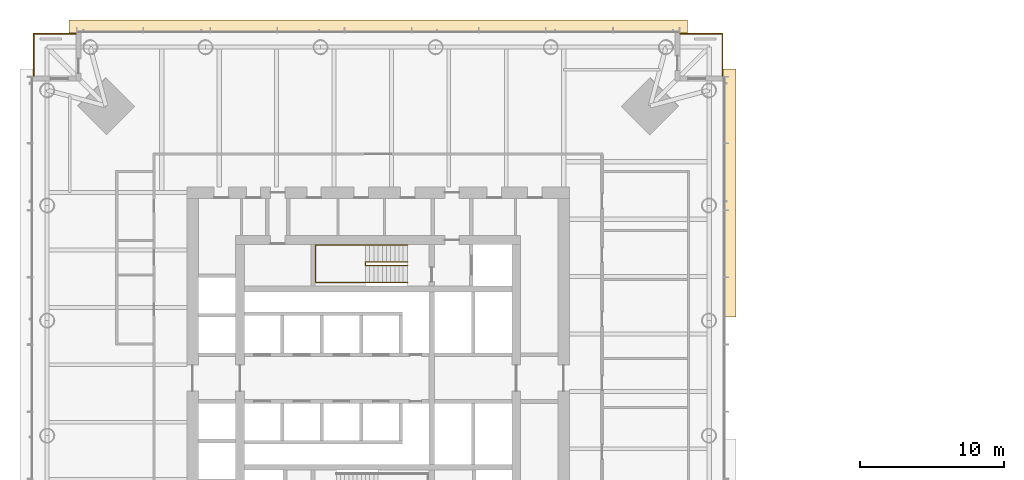
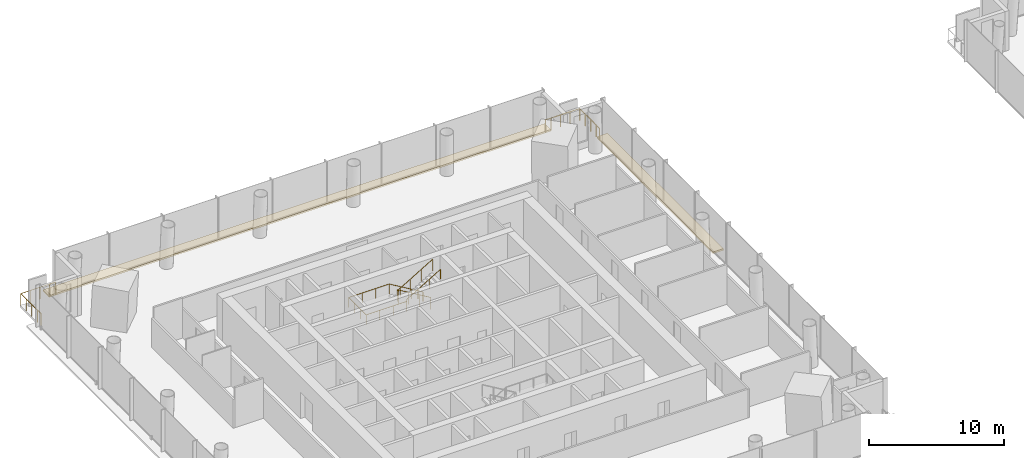
# One storey, part 25 of 26: 8 railings, 2 coverings.
"""IFC4 building model written with IfcOpenShell, lengths in metres."""

from ifc_helpers import new_model, si_unit, direction, frame, origin, origin_2d, place, context, subcontext, project, spatial, polyline, circle, outline, extrude, material, layer, layer_set, type_object, element, save


model = new_model("IFC4")

# Units and contexts
model_context = context("Model", 3, precision=1e-05, world=origin(), true_north=direction((0.0, 1.0)))
body_context = subcontext(model_context, "Body", "Model", "MODEL_VIEW")
ifc_project = project(units=[si_unit("LENGTHUNIT", "METRE"), si_unit("AREAUNIT", "SQUARE_METRE"), si_unit("VOLUMEUNIT", "CUBIC_METRE"), si_unit("PLANEANGLEUNIT", "RADIAN"), si_unit("MASSUNIT", "GRAM", prefix="KILO")], contexts=[model_context])

# Site, building, storey
site_placement = place(None, origin())
site = spatial("IfcSite", under=ifc_project, at=site_placement, CompositionType="ELEMENT")
building_placement = place(site_placement, origin())
building = spatial("IfcBuilding", under=site, at=building_placement, Name="Ostroluk Exchange", CompositionType="ELEMENT")
storey_placement = place(building_placement, frame((0.0, 0.0, 51.39990234375)))
storey = spatial("IfcBuildingStorey", under=building, at=storey_placement, Name="L12", CompositionType="ELEMENT", Elevation=51.39990234375)

# Railings
ifc_material_1 = material(Name="Stainless steel", Category="steel")
railing_type_1 = type_object("IfcRailingType", Name="Guard 1100 stainless steel", PredefinedType="GUARDRAIL", material=ifc_material_1)
railing_1_placement = place(storey_placement, frame((66.5, 69.949951171875, 0.0)))
element("IfcRailing", 1, at=railing_1_placement, inside=storey, type_object=railing_type_1, Name="Office tower NE balcony guard L12", PredefinedType="GUARDRAIL", context=body_context, shape_type="SweptSolid", body=[
    extrude(circle(Radius=0.02392578125, at=origin_2d()), frame((0.0, 0.0, 1.076171875), z_axis=(1.0, 0.0, 0.0), x_axis=(0.0, 1.0, 0.0)), (0.0, 0.0, 1.0), 2.449951171875),
    extrude(circle(Radius=0.02392578125, at=origin_2d()), frame((2.449951171875, 0.0, 1.076171875), z_axis=(0.0, -1.0, 0.0), x_axis=(1.0, 0.0, 0.0)), (0.0, 0.0, 1.0), 2.449951171875),
    extrude(circle(Radius=0.02099609375, at=origin_2d()), origin(), (0.0, 0.0, 1.0), 1.052001953125),
    extrude(circle(Radius=0.02099609375, at=origin_2d()), frame((0.816650390625, 0.0, 0.0)), (0.0, 0.0, 1.0), 1.052001953125),
    extrude(circle(Radius=0.02099609375, at=origin_2d()), frame((1.63330078125, 0.0, 0.0)), (0.0, 0.0, 1.0), 1.052001953125),
    extrude(circle(Radius=0.02099609375, at=origin_2d()), frame((2.449951171875, 0.0, 0.0)), (0.0, 0.0, 1.0), 1.052001953125),
    extrude(circle(Radius=0.02099609375, at=origin_2d()), frame((2.449951171875, -0.816650390625, 0.0)), (0.0, 0.0, 1.0), 1.052001953125),
    extrude(circle(Radius=0.02099609375, at=origin_2d()), frame((2.449951171875, -1.63330078125, 0.0)), (0.0, 0.0, 1.0), 1.052001953125),
    extrude(circle(Radius=0.02099609375, at=origin_2d()), frame((2.449951171875, -2.449951171875, 0.0)), (0.0, 0.0, 1.0), 1.052001953125),
])
railing_2_placement = place(storey_placement, frame((23.5, 69.949951171875, 0.0)))
element("IfcRailing", 2, at=railing_2_placement, inside=storey, type_object=railing_type_1, Name="Office tower NW balcony guard L12", PredefinedType="GUARDRAIL", context=body_context, shape_type="SweptSolid", body=[
    extrude(circle(Radius=0.02392578125, at=origin_2d()), frame((0.0, 0.0, 1.076171875), z_axis=(-1.0, 0.0, 0.0), x_axis=(0.0, -1.0, 0.0)), (0.0, 0.0, 1.0), 2.449951171875),
    extrude(circle(Radius=0.02392578125, at=origin_2d()), frame((-2.449951171875, 0.0, 1.076171875), z_axis=(0.0, -1.0, 0.0), x_axis=(1.0, 0.0, 0.0)), (0.0, 0.0, 1.0), 2.449951171875),
    extrude(circle(Radius=0.02099609375, at=origin_2d()), origin(), (0.0, 0.0, 1.0), 1.052001953125),
    extrude(circle(Radius=0.02099609375, at=origin_2d()), frame((-0.816650390625, 0.0, 0.0)), (0.0, 0.0, 1.0), 1.052001953125),
    extrude(circle(Radius=0.02099609375, at=origin_2d()), frame((-1.63330078125, 0.0, 0.0)), (0.0, 0.0, 1.0), 1.052001953125),
    extrude(circle(Radius=0.02099609375, at=origin_2d()), frame((-2.449951171875, 0.0, 0.0)), (0.0, 0.0, 1.0), 1.052001953125),
    extrude(circle(Radius=0.02099609375, at=origin_2d()), frame((-2.449951171875, -0.816650390625, 0.0)), (0.0, 0.0, 1.0), 1.052001953125),
    extrude(circle(Radius=0.02099609375, at=origin_2d()), frame((-2.449951171875, -1.63330078125, 0.0)), (0.0, 0.0, 1.0), 1.052001953125),
    extrude(circle(Radius=0.02099609375, at=origin_2d()), frame((-2.449951171875, -2.449951171875, 0.0)), (0.0, 0.0, 1.0), 1.052001953125),
])
ifc_material_2 = material(Name="Stainless steel", Category="steel")
railing_type_2 = type_object("IfcRailingType", Name="Lockable maintenance gate 1100", PredefinedType="GUARDRAIL", material=ifc_material_2)
railing_3_placement = place(storey_placement, frame((66.0, 69.949951171875, 0.0)))
element("IfcRailing", 3, at=railing_3_placement, inside=storey, type_object=railing_type_2, Name="Lockable maintenance gate T1 L12 NE", PredefinedType="GUARDRAIL", context=body_context, shape_type="SweptSolid", body=[
    extrude(circle(Radius=0.02392578125, at=origin_2d()), frame((0.0, 0.0, 1.076171875), z_axis=(1.0, 0.0, 0.0), x_axis=(0.0, 1.0, 0.0)), (0.0, 0.0, 1.0), 0.5),
    extrude(circle(Radius=0.02099609375, at=origin_2d()), origin(), (0.0, 0.0, 1.0), 1.052001953125),
    extrude(circle(Radius=0.02099609375, at=origin_2d()), frame((0.5, 0.0, 0.0)), (0.0, 0.0, 1.0), 1.052001953125),
])
railing_4_placement = place(storey_placement, frame((68.949951171875, 67.5, 0.0)))
element("IfcRailing", 4, at=railing_4_placement, inside=storey, type_object=railing_type_2, Name="Lockable maintenance gate T1 L12 NE", PredefinedType="GUARDRAIL", context=body_context, shape_type="SweptSolid", body=[
    extrude(circle(Radius=0.02392578125, at=origin_2d()), frame((0.0, 0.0, 1.076171875), z_axis=(0.0, -1.0, 0.0), x_axis=(1.0, 0.0, 0.0)), (0.0, 0.0, 1.0), 0.5),
    extrude(circle(Radius=0.02099609375, at=origin_2d()), origin(), (0.0, 0.0, 1.0), 1.052001953125),
    extrude(circle(Radius=0.02099609375, at=origin_2d()), frame((0.0, -0.5, 0.0)), (0.0, 0.0, 1.0), 1.052001953125),
])
railing_5_placement = place(storey_placement, frame((24.0, 69.949951171875, 0.0)))
element("IfcRailing", 5, at=railing_5_placement, inside=storey, type_object=railing_type_2, Name="Lockable maintenance gate T1 L12 NW", PredefinedType="GUARDRAIL", context=body_context, shape_type="SweptSolid", body=[
    extrude(circle(Radius=0.02392578125, at=origin_2d()), frame((0.0, 0.0, 1.076171875), z_axis=(-1.0, 0.0, 0.0), x_axis=(0.0, -1.0, 0.0)), (0.0, 0.0, 1.0), 0.5),
    extrude(circle(Radius=0.02099609375, at=origin_2d()), origin(), (0.0, 0.0, 1.0), 1.052001953125),
    extrude(circle(Radius=0.02099609375, at=origin_2d()), frame((-0.5, 0.0, 0.0)), (0.0, 0.0, 1.0), 1.052001953125),
])
railing_6_placement = place(storey_placement, frame((21.050048828125, 67.5, 0.0)))
element("IfcRailing", 6, at=railing_6_placement, inside=storey, type_object=railing_type_2, Name="Lockable maintenance gate T1 L12 NW", PredefinedType="GUARDRAIL", context=body_context, shape_type="SweptSolid", body=[
    extrude(circle(Radius=0.02392578125, at=origin_2d()), frame((0.0, 0.0, 1.076171875), z_axis=(0.0, -1.0, 0.0), x_axis=(1.0, 0.0, 0.0)), (0.0, 0.0, 1.0), 0.5),
    extrude(circle(Radius=0.02099609375, at=origin_2d()), origin(), (0.0, 0.0, 1.0), 1.052001953125),
    extrude(circle(Radius=0.02099609375, at=origin_2d()), frame((0.0, -0.5, 0.0)), (0.0, 0.0, 1.0), 1.052001953125),
])

# Coverings
ifc_material_3 = material(Name="Insulated steel roof deck with membrane, laid to falls, aluminium coping", Category="steel")
ifc_layer = layer(ifc_material_3, 0.14990234375)
ifc_layer_set = layer_set([ifc_layer], Name="Setback maintenance roof")
covering_type = type_object("IfcCoveringType", Name="Setback maintenance roof", PredefinedType="ROOFING", material=ifc_layer_set)
covering_1_placement = place(storey_placement, frame((0.0, 0.0, -0.14990234375)))
element("IfcCovering", 7, at=covering_1_placement, inside=storey, type_object=covering_type, Name="Maintenance roof, setback L12 east", PredefinedType="ROOFING", context=body_context, shape_type="SweptSolid", body=[
    extrude(outline(polyline([(69.0, 67.5), (69.89990234375, 67.5), (69.89990234375, 50.25), (69.0, 50.25), (69.0, 67.5)])), origin(), (0.0, 0.0, 1.0), 0.14990234375),
])
covering_2_placement = place(storey_placement, frame((0.0, 0.0, -0.14990234375)))
element("IfcCovering", 8, at=covering_2_placement, inside=storey, type_object=covering_type, Name="Maintenance roof, setback L12 north", PredefinedType="ROOFING", context=body_context, shape_type="SweptSolid", body=[
    extrude(outline(polyline([(23.5, 70.89990234375), (66.5, 70.89990234375), (66.5, 70.0), (23.5, 70.0), (23.5, 70.89990234375)])), origin(), (0.0, 0.0, 1.0), 0.14990234375),
])

# Railings
ifc_material_4 = material(Name="Steel S355", Category="steel")
railing_type_3 = type_object("IfcRailingType", Name="Stair guard 1100", PredefinedType="GUARDRAIL", material=ifc_material_4)
railing_7_placement = place(storey_placement, frame((47.030029296875, 54.080078125, 0.1728515625)))
element("IfcRailing", 9, at=railing_7_placement, inside=storey, type_object=railing_type_3, Name="Stair T1-S2 guard L12", PredefinedType="GUARDRAIL", context=body_context, shape_type="SweptSolid", body=[
    extrude(circle(Radius=0.02392578125, at=origin_2d()), frame((0.0, 0.0, 1.076171875), z_axis=(-0.859160404282, 0.0, 0.51170636083), x_axis=(0.0, -1.0, 0.0)), (0.0, 0.0, 1.0), 3.37548828125),
    extrude(circle(Radius=0.02392578125, at=origin_2d()), frame((-2.900146484375, 0.0, 2.80322265625), z_axis=(0.0, -1.0, 0.0), x_axis=(1.0, 0.0, 0.0)), (0.0, 0.0, 1.0), 0.260009765625),
    extrude(circle(Radius=0.02392578125, at=origin_2d()), frame((-2.900146484375, -0.260009765625, 2.80322265625), z_axis=(0.0, 0.0, 1.0), x_axis=(1.0, 0.0, 0.0)), (0.0, 0.0, 1.0), 0.172607421875),
    extrude(circle(Radius=0.02392578125, at=origin_2d()), frame((-2.900146484375, -0.260009765625, 2.97607421875), z_axis=(0.859160404282, 0.0, 0.51170636083), x_axis=(0.0, 1.0, 0.0)), (0.0, 0.0, 1.0), 3.37548828125),
    extrude(circle(Radius=0.02099609375, at=origin_2d()), origin(), (0.0, 0.0, 1.0), 1.052001953125),
    extrude(circle(Radius=0.02099609375, at=origin_2d()), frame((-0.966796875, 0.0, 0.57568359375)), (0.0, 0.0, 1.0), 1.052001953125),
    extrude(circle(Radius=0.02099609375, at=origin_2d()), frame((-1.933349609375, 0.0, 1.151611328125)), (0.0, 0.0, 1.0), 1.052001953125),
    extrude(circle(Radius=0.02099609375, at=origin_2d()), frame((-2.900146484375, 0.0, 1.727294921875)), (0.0, 0.0, 1.0), 1.052001953125),
    extrude(circle(Radius=0.02099609375, at=origin_2d()), frame((-2.900146484375, -0.260009765625, 1.727294921875)), (0.0, 0.0, 1.0), 1.052001953125),
    extrude(circle(Radius=0.02099609375, at=origin_2d()), frame((-2.900146484375, -0.260009765625, 1.89990234375)), (0.0, 0.0, 1.0), 1.052001953125),
    extrude(circle(Radius=0.02099609375, at=origin_2d()), frame((-1.933349609375, -0.260009765625, 2.4755859375)), (0.0, 0.0, 1.0), 1.052001953125),
    extrude(circle(Radius=0.02099609375, at=origin_2d()), frame((-0.966796875, -0.260009765625, 3.051513671875)), (0.0, 0.0, 1.0), 1.052001953125),
    extrude(circle(Radius=0.02099609375, at=origin_2d()), frame((0.0, -0.260009765625, 3.627197265625)), (0.0, 0.0, 1.0), 1.052001953125),
])
ifc_material_5 = material(Name="Stainless steel", Category="steel")
railing_type_4 = type_object("IfcRailingType", Name="Stair handrail 900", PredefinedType="HANDRAIL", material=ifc_material_5)
railing_8_placement = place(storey_placement, frame((47.030029296875, 55.25, 0.1728515625)))
element("IfcRailing", 10, at=railing_8_placement, inside=storey, type_object=railing_type_4, Name="Stair T1-S2 handrail L12", PredefinedType="HANDRAIL", context=body_context, shape_type="SweptSolid", body=[
    extrude(circle(Radius=0.02392578125, at=origin_2d()), frame((0.0, 0.0, 0.8759765625), z_axis=(-0.859160404282, 0.0, 0.51170636083), x_axis=(0.0, -1.0, 0.0)), (0.0, 0.0, 1.0), 3.37548828125),
    extrude(circle(Radius=0.02392578125, at=origin_2d()), frame((-2.900146484375, 0.0, 2.60302734375), z_axis=(-1.0, 0.0, 0.0), x_axis=(0.0, -1.0, 0.0)), (0.0, 0.0, 1.0), 3.47998046875),
    extrude(circle(Radius=0.02392578125, at=origin_2d()), frame((-6.380126953125, 0.0, 2.60302734375), z_axis=(0.0, -1.0, 0.0), x_axis=(1.0, 0.0, 0.0)), (0.0, 0.0, 1.0), 2.60009765625),
    extrude(circle(Radius=0.02392578125, at=origin_2d()), frame((-6.380126953125, -2.60009765625, 2.60302734375), z_axis=(1.0, 0.0, 0.0), x_axis=(0.0, 1.0, 0.0)), (0.0, 0.0, 1.0), 3.47998046875),
    extrude(circle(Radius=0.02392578125, at=origin_2d()), frame((-2.900146484375, -2.60009765625, 2.60302734375), z_axis=(0.0, 0.0, 1.0), x_axis=(1.0, 0.0, 0.0)), (0.0, 0.0, 1.0), 0.172607421875),
    extrude(circle(Radius=0.02392578125, at=origin_2d()), frame((-2.900146484375, -2.60009765625, 2.77587890625), z_axis=(0.859160404282, 0.0, 0.51170636083), x_axis=(0.0, 1.0, 0.0)), (0.0, 0.0, 1.0), 3.37548828125),
    extrude(circle(Radius=0.02099609375, at=origin_2d()), origin(), (0.0, 0.0, 1.0), 0.851806640625),
    extrude(circle(Radius=0.02099609375, at=origin_2d()), frame((-0.966796875, 0.0, 0.57568359375)), (0.0, 0.0, 1.0), 0.851806640625),
    extrude(circle(Radius=0.02099609375, at=origin_2d()), frame((-1.933349609375, 0.0, 1.151611328125)), (0.0, 0.0, 1.0), 0.851806640625),
    extrude(circle(Radius=0.02099609375, at=origin_2d()), frame((-2.900146484375, 0.0, 1.727294921875)), (0.0, 0.0, 1.0), 0.851806640625),
    extrude(circle(Radius=0.02099609375, at=origin_2d()), frame((-4.06005859375, 0.0, 1.727294921875)), (0.0, 0.0, 1.0), 0.851806640625),
    extrude(circle(Radius=0.02099609375, at=origin_2d()), frame((-5.22021484375, 0.0, 1.727294921875)), (0.0, 0.0, 1.0), 0.851806640625),
    extrude(circle(Radius=0.02099609375, at=origin_2d()), frame((-6.380126953125, 0.0, 1.727294921875)), (0.0, 0.0, 1.0), 0.851806640625),
    extrude(circle(Radius=0.02099609375, at=origin_2d()), frame((-6.380126953125, -0.86669921875, 1.727294921875)), (0.0, 0.0, 1.0), 0.851806640625),
    extrude(circle(Radius=0.02099609375, at=origin_2d()), frame((-6.380126953125, -1.7333984375, 1.727294921875)), (0.0, 0.0, 1.0), 0.851806640625),
    extrude(circle(Radius=0.02099609375, at=origin_2d()), frame((-6.380126953125, -2.60009765625, 1.727294921875)), (0.0, 0.0, 1.0), 0.851806640625),
    extrude(circle(Radius=0.02099609375, at=origin_2d()), frame((-5.22021484375, -2.60009765625, 1.727294921875)), (0.0, 0.0, 1.0), 0.851806640625),
    extrude(circle(Radius=0.02099609375, at=origin_2d()), frame((-4.06005859375, -2.60009765625, 1.727294921875)), (0.0, 0.0, 1.0), 0.851806640625),
    extrude(circle(Radius=0.02099609375, at=origin_2d()), frame((-2.900146484375, -2.60009765625, 1.727294921875)), (0.0, 0.0, 1.0), 0.851806640625),
    extrude(circle(Radius=0.02099609375, at=origin_2d()), frame((-2.900146484375, -2.60009765625, 1.89990234375)), (0.0, 0.0, 1.0), 0.851806640625),
    extrude(circle(Radius=0.02099609375, at=origin_2d()), frame((-1.933349609375, -2.60009765625, 2.4755859375)), (0.0, 0.0, 1.0), 0.851806640625),
    extrude(circle(Radius=0.02099609375, at=origin_2d()), frame((-0.966796875, -2.60009765625, 3.051513671875)), (0.0, 0.0, 1.0), 0.851806640625),
    extrude(circle(Radius=0.02099609375, at=origin_2d()), frame((0.0, -2.60009765625, 3.627197265625)), (0.0, 0.0, 1.0), 0.851806640625),
])

save(model, "model.ifc")
